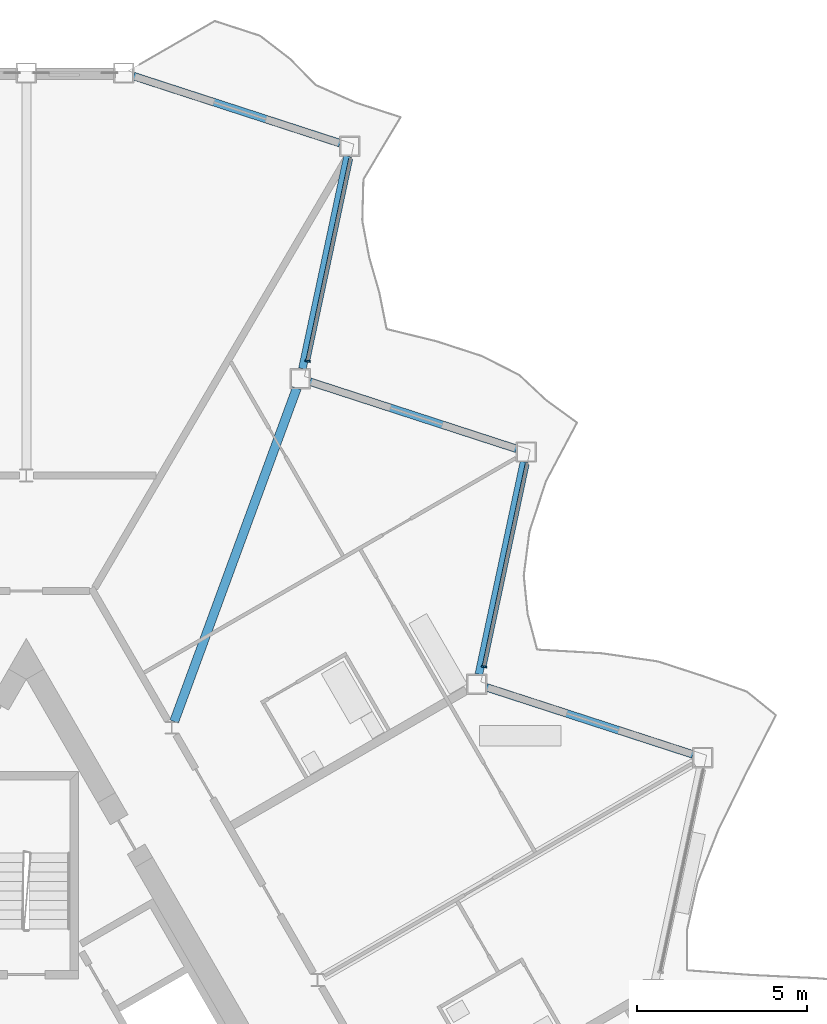
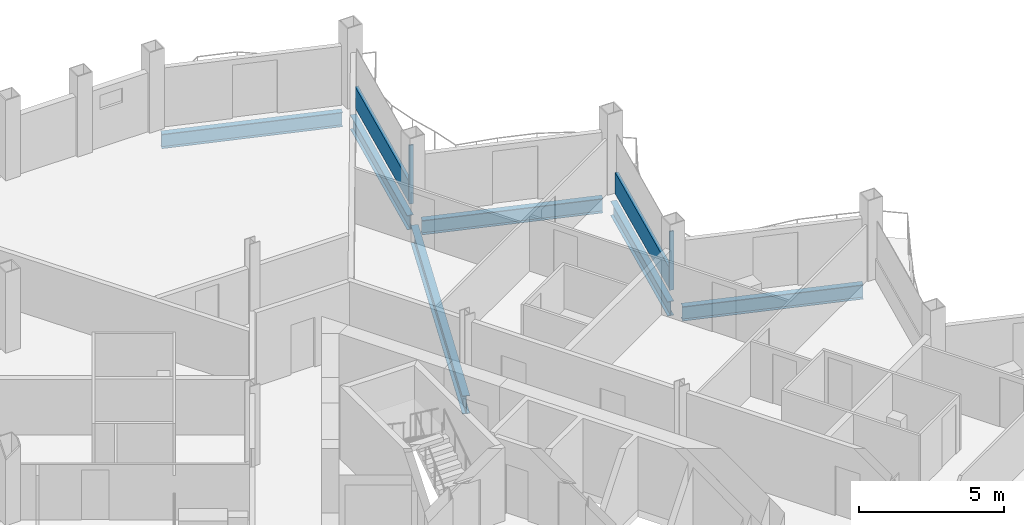
# One storey, part 10 of 26: 6 beams, 4 members, 2 elements without a shape of their own.
"""IFC4 building model written with IfcOpenShell, lengths in metres."""

from ifc_helpers import new_model, si_unit, direction, frame, origin, origin_2d, place, context, subcontext, project, spatial, rectangle, i_section, extrude, material, layer, layer_set, material_profile, profile_set, type_object, element, aggregate, save


model = new_model("IFC4")

# Units and contexts
model_context = context("Model", 3, precision=1e-05, world=origin(), true_north=direction((0.0, 1.0)))
body_context = subcontext(model_context, "Body", "Model", "MODEL_VIEW")
ifc_project = project(units=[si_unit("LENGTHUNIT", "METRE"), si_unit("AREAUNIT", "SQUARE_METRE"), si_unit("VOLUMEUNIT", "CUBIC_METRE"), si_unit("PLANEANGLEUNIT", "RADIAN"), si_unit("MASSUNIT", "GRAM", prefix="KILO")], contexts=[model_context])

# Site, building, storey
site_placement = place(None, origin())
site = spatial("IfcSite", under=ifc_project, at=site_placement, CompositionType="ELEMENT")
building_placement = place(site_placement, origin())
building = spatial("IfcBuilding", under=site, at=building_placement, Name="Cormorant Prow Tower", CompositionType="ELEMENT")
storey_placement = place(building_placement, frame((0.0, 0.0, 342.60009765625)))
storey = spatial("IfcBuildingStorey", under=building, at=storey_placement, Name="L77", CompositionType="ELEMENT", Elevation=342.60009765625)

# Beam
ifc_material_1 = material(Name="Structural steel ASTM A992 Gr 50", Category="steel")
ifc_material_profile_1 = material_profile(ifc_material_1, i_section(OverallWidth=0.267822265625, OverallDepth=0.77001953125, WebThickness=0.015625, FlangeThickness=0.025390625, at=origin_2d()), Name="W30x132")
ifc_profile_set_1 = profile_set([ifc_material_profile_1], Name="Structural steel ASTM A992 Gr 50")
beam_type_1 = type_object("IfcBeamType", Name="Radial floor beam W30x132", PredefinedType="BEAM", material=ifc_profile_set_1)
beam_1_placement = place(storey_placement, frame((4.357421875, 12.5673828125, -0.68505859375), z_axis=(0.345131226703, 0.938554439739, 0.0), x_axis=(-0.938554439739, 0.345131226703, 0.0)))
element("IfcBeam", 1, at=beam_1_placement, inside=storey, type_object=beam_type_1, Name="Radial floor beam FB3 12 L77", PredefinedType="BEAM", context=body_context, shape_type="SweptSolid", body=[
    extrude(i_section(OverallWidth=0.267822265625, OverallDepth=0.77001953125, WebThickness=0.015625, FlangeThickness=0.025390625, at=origin_2d()), origin(), (0.0, 0.0, 1.0), 10.465087890625),
])

# Curtain wall, member
ifc_material_2 = material(Name="Aluminium 6063-T6", Category="aluminium")
ifc_layer = layer(ifc_material_2, 0.159912109375)
ifc_layer_set = layer_set([ifc_layer], Name="Aluminium 6063-T6")
curtain_wall_type = type_object("IfcCurtainWallType", Name="Residential unitised curtain wall 160", PredefinedType="NOTDEFINED", material=ifc_layer_set)
curtain_wall_1_placement = place(storey_placement, origin())
curtain_wall_1 = element("IfcCurtainWall", 2, at=curtain_wall_1_placement, inside=storey, type_object=curtain_wall_type, Name="Residential curtain wall ENE06", PredefinedType="NOTDEFINED")
ifc_material_3 = material(Name="Aluminium 6063-T6", Category="aluminium")
ifc_material_profile_2 = material_profile(ifc_material_3, rectangle(XDim=0.159912109375, YDim=0.050048828125, at=origin_2d()), Name="Residential mullion 50x160")
ifc_profile_set_2 = profile_set([ifc_material_profile_2], Name="Aluminium 6063-T6")
member_type_1 = type_object("IfcMemberType", Name="Residential mullion 50x160", PredefinedType="MULLION", material=ifc_profile_set_2)
member_1_placement = place(storey_placement, frame((13.48828125, 14.182861328125, 0.0), z_axis=(0.0, 0.0, 1.0), x_axis=(-0.978147590428, 0.207911739302, 0.0)))
member_1 = element("IfcMember", 3, at=member_1_placement, type_object=member_type_1, Name="Residential mullion ENE06", PredefinedType="MULLION", context=body_context, shape_type="SweptSolid", body=[
    extrude(rectangle(XDim=0.159912109375, YDim=0.050048828125, at=origin_2d()), origin(), (0.0, 0.0, 1.0), 2.48779296875),
])

curtain_wall_2_placement = place(storey_placement, origin())
curtain_wall_2 = element("IfcCurtainWall", 4, at=curtain_wall_2_placement, inside=storey, type_object=curtain_wall_type, Name="Residential curtain wall ENE08", PredefinedType="NOTDEFINED")
member_2_placement = place(storey_placement, frame((8.290771484375, 23.185302734375, 0.0), z_axis=(0.0, 0.0, 1.0), x_axis=(-0.978147619505, 0.207911602505, 0.0)))
member_2 = element("IfcMember", 5, at=member_2_placement, type_object=member_type_1, Name="Residential mullion ENE08", PredefinedType="MULLION", context=body_context, shape_type="SweptSolid", body=[
    extrude(rectangle(XDim=0.159912109375, YDim=0.050048828125, at=origin_2d()), origin(), (0.0, 0.0, 1.0), 2.48779296875),
])

# Member
ifc_material_4 = material(Name="Terracotta", Category="masonry")
ifc_material_profile_3 = material_profile(ifc_material_4, rectangle(XDim=0.1201171875, YDim=0.89990234375, at=origin_2d()), Name="Residential terracotta spandrel rail 120x900")
ifc_profile_set_3 = profile_set([ifc_material_profile_3], Name="Terracotta")
member_type_2 = type_object("IfcMemberType", Name="Residential terracotta spandrel rail 120x900", PredefinedType="USERDEFINED", material=ifc_profile_set_3)
member_3_placement = place(storey_placement, frame((13.493408203125, 14.207275390625, 0.449951171875), z_axis=(0.207931798969, 0.978143326398, 0.0), x_axis=(-0.978143326398, 0.207931798969, 0.0)))
member_3 = element("IfcMember", 6, at=member_3_placement, type_object=member_type_2, Name="Residential spandrel rail ENE06", ObjectType="TRANSOM", PredefinedType="USERDEFINED", context=body_context, shape_type="SweptSolid", body=[
    extrude(rectangle(XDim=0.1201171875, YDim=0.89990234375, at=origin_2d()), origin(), (0.0, 0.0, 1.0), 6.076171875),
])

aggregate(curtain_wall_1, [member_1, member_3])

member_4_placement = place(storey_placement, frame((8.2958984375, 23.209716796875, 0.449951171875), z_axis=(0.207939971389, 0.978141589086, 0.0), x_axis=(-0.978141589086, 0.207939971389, 0.0)))
member_4 = element("IfcMember", 7, at=member_4_placement, type_object=member_type_2, Name="Residential spandrel rail ENE08", ObjectType="TRANSOM", PredefinedType="USERDEFINED", context=body_context, shape_type="SweptSolid", body=[
    extrude(rectangle(XDim=0.1201171875, YDim=0.89990234375, at=origin_2d()), origin(), (0.0, 0.0, 1.0), 6.075927734375),
])

aggregate(curtain_wall_2, [member_2, member_4])

# Beams
ifc_material_5 = material(Name="Structural steel ASTM A992 Gr 50", Category="steel")
ifc_material_profile_4 = material_profile(ifc_material_5, i_section(OverallWidth=0.22900390625, OverallDepth=0.612060546875, WebThickness=0.011962890625, FlangeThickness=0.01953125, at=origin_2d()), Name="W24x84")
ifc_profile_set_4 = profile_set([ifc_material_profile_4], Name="Structural steel ASTM A992 Gr 50")
beam_type_2 = type_object("IfcBeamType", Name="Spandrel beam W24x84", PredefinedType="SPANDREL", material=ifc_profile_set_4)
for number, where, z_axis, x_axis, name in (
    (8, (19.640380859375, 11.5966796875, -0.606201171875), (-0.95105314132, 0.309027381286, 0.0), (-0.309027381286, -0.95105314132, 0.0), "Spandrel beam SB3 ENE05-ENE06 L77"),
    (9, (13.334228515625, 13.95947265625, -0.606201171875), (0.207920386839, 0.978145752297, 0.0), (-0.978145752297, 0.207920386839, 0.0), "Spandrel beam SB3 ENE06-ENE07 L77"),
    (10, (14.441162109375, 20.601806640625, -0.606201171875), (-0.95105314132, 0.309027381286, 0.0), (-0.309027381286, -0.95105314132, 0.0), "Spandrel beam SB3 ENE07-ENE08 L77"),
):
    element("IfcBeam", number, at=place(storey_placement, frame(where, z_axis=z_axis, x_axis=x_axis)), inside=storey, type_object=beam_type_2, Name=name, PredefinedType="SPANDREL", context=body_context, shape_type="SweptSolid", body=[
        extrude(i_section(OverallWidth=0.22900390625, OverallDepth=0.612060546875, WebThickness=0.011962890625, FlangeThickness=0.01953125, at=origin_2d()), origin(), (0.0, 0.0, 1.0), 6.39599609375),
    ])
beam_2_placement = place(storey_placement, frame((8.13525390625, 22.96435546875, -0.606201171875), z_axis=(0.20791262393, 0.978147402394, 0.0), x_axis=(-0.978147402394, 0.20791262393, 0.0)))
element("IfcBeam", 11, at=beam_2_placement, inside=storey, type_object=beam_type_2, Name="Spandrel beam SB3 ENE08-ENE09 L77", PredefinedType="SPANDREL", context=body_context, shape_type="SweptSolid", body=[
    extrude(i_section(OverallWidth=0.22900390625, OverallDepth=0.612060546875, WebThickness=0.011962890625, FlangeThickness=0.01953125, at=origin_2d()), origin(), (0.0, 0.0, 1.0), 6.396240234375),
])
beam_3_placement = place(storey_placement, frame((9.2421875, 29.60693359375, -0.606201171875), z_axis=(-0.951064359156, 0.308992855489, 0.0), x_axis=(-0.308992855489, -0.951064359156, 0.0)))
element("IfcBeam", 12, at=beam_3_placement, inside=storey, type_object=beam_type_2, Name="Spandrel beam SB3 ENE09-N00 L77", PredefinedType="SPANDREL", context=body_context, shape_type="SweptSolid", body=[
    extrude(i_section(OverallWidth=0.22900390625, OverallDepth=0.612060546875, WebThickness=0.011962890625, FlangeThickness=0.01953125, at=origin_2d()), origin(), (0.0, 0.0, 1.0), 6.39599609375),
])

save(model, "model.ifc")
